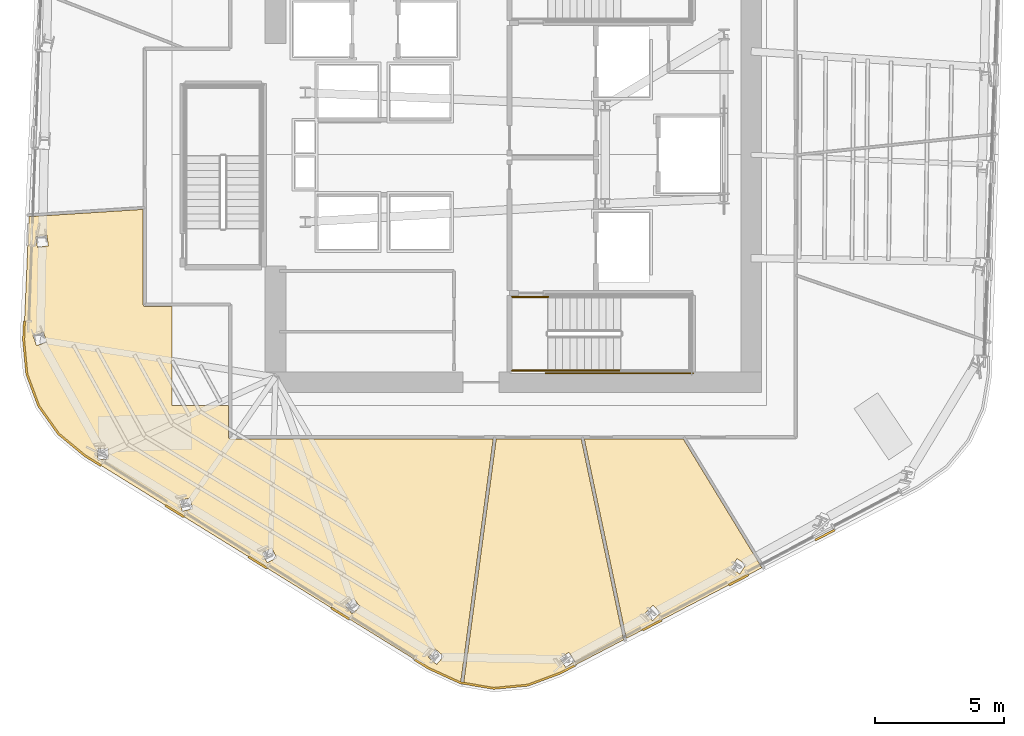
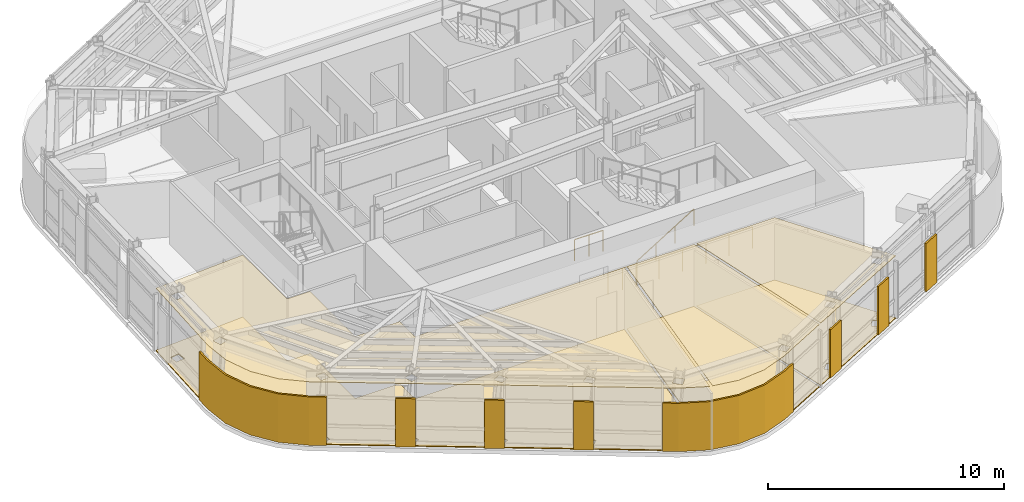
# One storey, part 9 of 14: 14 coverings, 4 railings.
"""IFC4 building model written with IfcOpenShell, lengths in metres."""

from ifc_helpers import new_model, si_unit, direction, frame, origin, origin_2d, place, context, subcontext, project, spatial, polyline, circle, outline, extrude, material, layer, layer_set, type_object, element, save


model = new_model("IFC4")

# Units and contexts
model_context = context("Model", 3, precision=1e-05, world=origin(), true_north=direction((0.0, 1.0)))
body_context = subcontext(model_context, "Body", "Model", "MODEL_VIEW")
ifc_project = project(units=[si_unit("LENGTHUNIT", "METRE"), si_unit("AREAUNIT", "SQUARE_METRE"), si_unit("VOLUMEUNIT", "CUBIC_METRE"), si_unit("PLANEANGLEUNIT", "RADIAN"), si_unit("MASSUNIT", "GRAM", prefix="KILO")], contexts=[model_context])

# Site, building, storey
site_placement = place(None, origin())
site = spatial("IfcSite", under=ifc_project, at=site_placement, CompositionType="ELEMENT")
building_placement = place(site_placement, origin())
building = spatial("IfcBuilding", under=site, at=building_placement, Name="Valkerne Bourse Tower", CompositionType="ELEMENT")
storey_placement = place(building_placement, frame((0.0, 0.0, 143.800048828125)))
storey = spatial("IfcBuildingStorey", under=building, at=storey_placement, Name="L36", CompositionType="ELEMENT", Elevation=143.800048828125)

# Coverings
ifc_material_1 = material(Name="Mineral Fiber Acoustic Ceiling Tile", Category="acoustic")
ifc_layer_1 = layer(ifc_material_1, 0.02490234375)
ifc_layer_set_1 = layer_set([ifc_layer_1], Name="Mineral Fiber Acoustic Ceiling Tile")
covering_type_1 = type_object("IfcCoveringType", Name="COV-CEIL-ACT", PredefinedType="CEILING", material=ifc_layer_set_1)
covering_1_placement = place(storey_placement, frame((0.0, 0.0, 3.22998046875)))
element("IfcCovering", 1, at=covering_1_placement, inside=storey, type_object=covering_type_1, Name="L36 Suspended Ceiling 04", PredefinedType="CEILING", context=body_context, shape_type="SweptSolid", body=[
    extrude(outline(polyline([(53.3671875, 16.010986328125), (56.41259765625, 11.021728515625), (51.17138671875, 8.289794921875), (49.544189453125, 16.010986328125), (53.3671875, 16.010986328125)]), holes=[polyline([(52.49267578125, 9.2734375), (52.20263671875, 9.569091796875), (52.2001953125, 9.568359375), (51.8984375, 9.27099609375), (52.1884765625, 8.975341796875), (52.19091796875, 8.97607421875), (52.49267578125, 9.2734375)]), polyline([(55.56005859375, 10.79052734375), (55.794921875, 11.14306640625), (55.45068359375, 11.37353515625), (55.448486328125, 11.372314453125), (55.213623046875, 11.01953125), (55.5576171875, 10.789306640625), (55.56005859375, 10.79052734375)])]), origin(), (0.0, 0.0, 1.0), 0.02490234375),
])
covering_2_placement = place(storey_placement, frame((0.0, 0.0, 3.22998046875)))
element("IfcCovering", 2, at=covering_2_placement, inside=storey, type_object=covering_type_1, Name="L36 Suspended Ceiling 06", PredefinedType="CEILING", context=body_context, shape_type="SweptSolid", body=[
    extrude(outline(polyline([(46.043212890625, 6.363525390625), (44.879150390625, 6.560546875), (46.139892578125, 16.010986328125), (49.423583984375, 16.010986328125), (51.062744140625, 8.233154296875), (48.603271484375, 6.951171875), (47.35693359375, 6.48779296875), (46.043212890625, 6.363525390625)]), holes=[polyline([(48.826904296875, 7.173095703125), (49.178955078125, 7.408447265625), (48.94970703125, 7.75341796875), (48.947021484375, 7.753173828125), (48.594970703125, 7.517578125), (48.82421875, 7.1728515625), (48.826904296875, 7.173095703125)])]), origin(), (0.0, 0.0, 1.0), 0.02490234375),
])
covering_3_placement = place(storey_placement, frame((0.0, 0.0, 3.22998046875)))
element("IfcCovering", 3, at=covering_3_placement, inside=storey, type_object=covering_type_1, Name="L36 Suspended Ceiling 10", PredefinedType="CEILING", context=body_context, shape_type="SweptSolid", body=[
    extrude(outline(polyline([(30.235107421875, 15.360107421875), (29.211181640625, 16.206787109375), (28.447021484375, 17.282470703125), (27.98681640625, 18.519287109375), (27.86181640625, 19.842041015625), (28.067138671875, 24.602783203125), (32.48095703125, 24.885498046875), (32.48095703125, 21.19921875), (32.498291015625, 21.154296875), (32.52099609375, 21.13720703125), (32.549560546875, 21.131103515625), (33.60009765625, 21.131103515625), (33.60009765625, 17.300048828125), (35.781005859375, 17.300048828125), (35.781005859375, 16.079345703125), (35.791015625, 16.0439453125), (35.81982421875, 16.017822265625), (35.849609375, 16.010986328125), (46.02099609375, 16.010986328125), (44.7626953125, 6.580078125), (44.7421875, 6.58349609375), (43.533203125, 7.13720703125), (30.235107421875, 15.360107421875)]), holes=[polyline([(37.45947265625, 11.78369140625), (37.45703125, 11.78515625), (37.0859375, 11.601806640625), (37.272705078125, 11.221435546875), (37.275146484375, 11.219970703125), (37.646240234375, 11.403564453125), (37.45947265625, 11.78369140625)]), polyline([(34.293701171875, 13.7197265625), (34.29150390625, 13.7216796875), (33.890869140625, 13.617431640625), (33.996337890625, 13.20703125), (33.998291015625, 13.205078125), (34.399169921875, 13.309326171875), (34.293701171875, 13.7197265625)]), polyline([(31.144775390625, 15.225341796875), (31.1181640625, 15.648193359375), (31.116455078125, 15.650390625), (30.703369140625, 15.623046875), (30.72998046875, 15.200439453125), (30.731689453125, 15.197998046875), (31.144775390625, 15.225341796875)]), polyline([(28.7548828125, 19.753173828125), (28.62158203125, 20.14404296875), (28.62060546875, 20.146728515625), (28.21875, 20.009765625), (28.35205078125, 19.618896484375), (28.35302734375, 19.6162109375), (28.7548828125, 19.753173828125)]), polyline([(28.756103515625, 23.88427734375), (28.755615234375, 23.88671875), (28.335205078125, 23.827880859375), (28.392578125, 23.418701171875), (28.39306640625, 23.416015625), (28.813720703125, 23.47509765625), (28.756103515625, 23.88427734375)]), polyline([(43.78662109375, 7.87646484375), (43.78369140625, 7.876953125), (43.51171875, 7.56494140625), (43.830078125, 7.28564453125), (43.832763671875, 7.28515625), (44.10498046875, 7.59716796875), (43.78662109375, 7.87646484375)]), polyline([(40.621337890625, 9.836181640625), (40.618896484375, 9.8369140625), (40.292724609375, 9.581787109375), (40.552978515625, 9.24755859375), (40.5556640625, 9.24658203125), (40.881591796875, 9.501708984375), (40.621337890625, 9.836181640625)])]), origin(), (0.0, 0.0, 1.0), 0.02490234375),
])
ifc_material_2 = material(Name="Bronze Anodised Aluminium AA 6063-T6", Category="aluminium")
ifc_layer_2 = layer(ifc_material_2, 0.06005859375)
ifc_layer_set_2 = layer_set([ifc_layer_2], Name="Bronze Anodised Aluminium AA 6063-T6")
covering_type_2 = type_object("IfcCoveringType", Name="COV-CRN-ALUM", PredefinedType="CLADDING", material=ifc_layer_set_2)
covering_4_placement = place(storey_placement, origin())
element("IfcCovering", 4, at=covering_4_placement, inside=storey, type_object=covering_type_2, Name="L36 Wind-Shaped Corner Aluminium Cladding 02", PredefinedType="CLADDING", context=body_context, shape_type="SweptSolid", body=[
    extrude(outline(polyline([(58.50146484375, 12.060791015625), (58.464111328125, 12.131591796875), (59.208984375, 12.52001953125), (59.24658203125, 12.44921875), (58.50146484375, 12.060791015625)])), origin(), (0.0, 0.0, 1.0), 2.5),
])
covering_5_placement = place(storey_placement, origin())
element("IfcCovering", 5, at=covering_5_placement, inside=storey, type_object=covering_type_2, Name="L36 Wind-Shaped Corner Aluminium Cladding 03", PredefinedType="CLADDING", context=body_context, shape_type="SweptSolid", body=[
    extrude(outline(polyline([(55.157470703125, 10.31787109375), (55.1201171875, 10.388671875), (55.864990234375, 10.77685546875), (55.902587890625, 10.706298828125), (55.157470703125, 10.31787109375)])), origin(), (0.0, 0.0, 1.0), 2.5),
])
covering_6_placement = place(storey_placement, origin())
element("IfcCovering", 6, at=covering_6_placement, inside=storey, type_object=covering_type_2, Name="L36 Wind-Shaped Corner Aluminium Cladding 04", PredefinedType="CLADDING", context=body_context, shape_type="SweptSolid", body=[
    extrude(outline(polyline([(51.8134765625, 8.57470703125), (51.77587890625, 8.6455078125), (52.52099609375, 9.03369140625), (52.558349609375, 8.963134765625), (51.8134765625, 8.57470703125)])), origin(), (0.0, 0.0, 1.0), 2.5),
])
covering_7_placement = place(storey_placement, origin())
element("IfcCovering", 7, at=covering_7_placement, inside=storey, type_object=covering_type_2, Name="L36 Wind-Shaped Corner Aluminium Cladding 05", PredefinedType="CLADDING", context=body_context, shape_type="SweptSolid", body=[
    extrude(outline(polyline([(48.62109375, 6.910888671875), (47.366943359375, 6.444580078125), (46.041748046875, 6.319091796875), (44.729248046875, 6.541259765625), (43.512451171875, 7.09814453125), (42.943603515625, 7.449951171875), (42.986083984375, 7.517822265625), (43.55029296875, 7.1689453125), (44.7529296875, 6.618408203125), (46.044677734375, 6.39990234375), (47.348876953125, 6.523193359375), (48.588623046875, 6.984130859375), (49.177001953125, 7.290771484375), (49.21435546875, 7.219970703125), (48.62109375, 6.910888671875)])), origin(), (0.0, 0.0, 1.0), 2.5),
])
covering_8_placement = place(storey_placement, origin())
element("IfcCovering", 8, at=covering_8_placement, inside=storey, type_object=covering_type_2, Name="L36 Wind-Shaped Corner Aluminium Cladding 06", PredefinedType="CLADDING", context=body_context, shape_type="SweptSolid", body=[
    extrude(outline(polyline([(39.736083984375, 9.433349609375), (39.778564453125, 9.501220703125), (40.4931640625, 9.059326171875), (40.45068359375, 8.991455078125), (39.736083984375, 9.433349609375)])), origin(), (0.0, 0.0, 1.0), 2.5),
])
covering_9_placement = place(storey_placement, origin())
element("IfcCovering", 9, at=covering_9_placement, inside=storey, type_object=covering_type_2, Name="L36 Wind-Shaped Corner Aluminium Cladding 07", PredefinedType="CLADDING", context=body_context, shape_type="SweptSolid", body=[
    extrude(outline(polyline([(36.52880859375, 11.41650390625), (36.5712890625, 11.484375), (37.28564453125, 11.04248046875), (37.2431640625, 10.974853515625), (36.52880859375, 11.41650390625)])), origin(), (0.0, 0.0, 1.0), 2.5),
])
covering_10_placement = place(storey_placement, origin())
element("IfcCovering", 10, at=covering_10_placement, inside=storey, type_object=covering_type_2, Name="L36 Wind-Shaped Corner Aluminium Cladding 08", PredefinedType="CLADDING", context=body_context, shape_type="SweptSolid", body=[
    extrude(outline(polyline([(33.3212890625, 13.39990234375), (33.36376953125, 13.467529296875), (34.078125, 13.02587890625), (34.03564453125, 12.9580078125), (33.3212890625, 13.39990234375)])), origin(), (0.0, 0.0, 1.0), 2.5),
])
covering_11_placement = place(storey_placement, origin())
element("IfcCovering", 11, at=covering_11_placement, inside=storey, type_object=covering_type_2, Name="L36 Wind-Shaped Corner Aluminium Cladding 09", PredefinedType="CLADDING", context=body_context, shape_type="SweptSolid", body=[
    extrude(outline(polyline([(30.209228515625, 15.32421875), (29.1787109375, 16.1767578125), (28.40771484375, 17.26171875), (27.943603515625, 18.509521484375), (27.817626953125, 19.8408203125), (27.84912109375, 20.568115234375), (27.928955078125, 20.565185546875), (27.89794921875, 19.843017578125), (28.022216796875, 18.52734375), (28.47900390625, 17.299560546875), (29.23779296875, 16.231689453125), (30.256103515625, 15.389404296875), (30.870849609375, 15.009033203125), (30.828369140625, 14.94140625), (30.209228515625, 15.32421875)])), origin(), (0.0, 0.0, 1.0), 2.5),
])
ifc_material_3 = material(Name="Galvanised Painted Steel", Category="steel")
ifc_layer_3 = layer(ifc_material_3, 0.044921875)
ifc_layer_set_3 = layer_set([ifc_layer_3], Name="Galvanised Painted Steel")
covering_type_3 = type_object("IfcCoveringType", Name="COV-FLR-RAF", PredefinedType="FLOORING", material=ifc_layer_set_3)
covering_12_placement = place(storey_placement, origin())
element("IfcCovering", 12, at=covering_12_placement, inside=storey, type_object=covering_type_3, Name="L36 Floor Finish 06", PredefinedType="FLOORING", context=body_context, shape_type="SweptSolid", body=[
    extrude(outline(polyline([(46.043212890625, 6.363525390625), (44.879150390625, 6.560546875), (46.139892578125, 16.010986328125), (49.423583984375, 16.010986328125), (51.062744140625, 8.233154296875), (48.603271484375, 6.951171875), (47.35693359375, 6.48779296875), (46.043212890625, 6.363525390625)]), holes=[polyline([(48.826904296875, 7.173095703125), (49.178955078125, 7.408447265625), (48.94970703125, 7.75341796875), (48.947021484375, 7.753173828125), (48.594970703125, 7.517578125), (48.82421875, 7.1728515625), (48.826904296875, 7.173095703125)])]), origin(), (0.0, 0.0, 1.0), 0.044921875),
])
covering_13_placement = place(storey_placement, origin())
element("IfcCovering", 13, at=covering_13_placement, inside=storey, type_object=covering_type_3, Name="L36 Floor Finish 10", PredefinedType="FLOORING", context=body_context, shape_type="SweptSolid", body=[
    extrude(outline(polyline([(30.235107421875, 15.360107421875), (29.211181640625, 16.206787109375), (28.447021484375, 17.282470703125), (27.98681640625, 18.519287109375), (27.86181640625, 19.842041015625), (28.067138671875, 24.602783203125), (32.48095703125, 24.885498046875), (32.48095703125, 21.19921875), (32.498291015625, 21.154296875), (32.52099609375, 21.13720703125), (32.549560546875, 21.131103515625), (33.60009765625, 21.131103515625), (33.60009765625, 17.300048828125), (35.781005859375, 17.300048828125), (35.781005859375, 16.079345703125), (35.791015625, 16.0439453125), (35.81982421875, 16.017822265625), (35.849609375, 16.010986328125), (46.02099609375, 16.010986328125), (44.7626953125, 6.580078125), (44.7421875, 6.58349609375), (43.533203125, 7.13720703125), (30.235107421875, 15.360107421875)]), holes=[polyline([(37.45947265625, 11.78369140625), (37.45703125, 11.78515625), (37.0859375, 11.601806640625), (37.272705078125, 11.221435546875), (37.275146484375, 11.219970703125), (37.646240234375, 11.403564453125), (37.45947265625, 11.78369140625)]), polyline([(34.293701171875, 13.7197265625), (34.29150390625, 13.7216796875), (33.890869140625, 13.617431640625), (33.996337890625, 13.20703125), (33.998291015625, 13.205078125), (34.399169921875, 13.309326171875), (34.293701171875, 13.7197265625)]), polyline([(31.144775390625, 15.225341796875), (31.1181640625, 15.648193359375), (31.116455078125, 15.650390625), (30.703369140625, 15.623046875), (30.72998046875, 15.200439453125), (30.731689453125, 15.197998046875), (31.144775390625, 15.225341796875)]), polyline([(28.7548828125, 19.753173828125), (28.62158203125, 20.14404296875), (28.62060546875, 20.146728515625), (28.21875, 20.009765625), (28.35205078125, 19.618896484375), (28.35302734375, 19.6162109375), (28.7548828125, 19.753173828125)]), polyline([(28.756103515625, 23.88427734375), (28.755615234375, 23.88671875), (28.335205078125, 23.827880859375), (28.392578125, 23.418701171875), (28.39306640625, 23.416015625), (28.813720703125, 23.47509765625), (28.756103515625, 23.88427734375)]), polyline([(43.78662109375, 7.87646484375), (43.78369140625, 7.876953125), (43.51171875, 7.56494140625), (43.830078125, 7.28564453125), (43.832763671875, 7.28515625), (44.10498046875, 7.59716796875), (43.78662109375, 7.87646484375)]), polyline([(40.621337890625, 9.836181640625), (40.618896484375, 9.8369140625), (40.292724609375, 9.581787109375), (40.552978515625, 9.24755859375), (40.5556640625, 9.24658203125), (40.881591796875, 9.501708984375), (40.621337890625, 9.836181640625)])]), origin(), (0.0, 0.0, 1.0), 0.044921875),
])
ifc_material_4 = material(Name="Polished Granite Stone", Category="masonry")
ifc_layer_4 = layer(ifc_material_4, 0.030029296875)
ifc_layer_set_4 = layer_set([ifc_layer_4], Name="Polished Granite Stone")
covering_type_4 = type_object("IfcCoveringType", Name="COV-FLR-TERRAZZO", PredefinedType="FLOORING", material=ifc_layer_set_4)
covering_14_placement = place(storey_placement, origin())
element("IfcCovering", 14, at=covering_14_placement, inside=storey, type_object=covering_type_4, Name="L36 Floor Finish 04", PredefinedType="FLOORING", context=body_context, shape_type="SweptSolid", body=[
    extrude(outline(polyline([(53.3671875, 16.010986328125), (56.41259765625, 11.021728515625), (51.17138671875, 8.289794921875), (49.544189453125, 16.010986328125), (53.3671875, 16.010986328125)]), holes=[polyline([(52.49267578125, 9.2734375), (52.20263671875, 9.569091796875), (52.2001953125, 9.568359375), (51.8984375, 9.27099609375), (52.1884765625, 8.975341796875), (52.19091796875, 8.97607421875), (52.49267578125, 9.2734375)]), polyline([(55.56005859375, 10.79052734375), (55.794921875, 11.14306640625), (55.45068359375, 11.37353515625), (55.448486328125, 11.372314453125), (55.213623046875, 11.01953125), (55.5576171875, 10.789306640625), (55.56005859375, 10.79052734375)])]), origin(), (0.0, 0.0, 1.0), 0.030029296875),
])

# Railings
railing_type_1 = type_object("IfcRailingType", Name="RLG-ST-GUARD-1120", PredefinedType="GUARDRAIL", material=ifc_material_3)
for number, where, name in (
    (15, (46.75, 18.64990234375, 0.0), "L36 ST-1 stair guard 8"),
    (16, (46.75, 21.5, 0.0), "L36 ST-1 stair guard 9"),
):
    element("IfcRailing", number, at=place(storey_placement, frame(where)), inside=storey, type_object=railing_type_1, Name=name, PredefinedType="GUARDRAIL", context=body_context, shape_type="SweptSolid", body=[
        extrude(circle(Radius=0.02392578125, at=origin_2d()), frame((0.0, 0.0, 1.09619140625), z_axis=(1.0, 0.0, 0.0), x_axis=(0.0, 1.0, 0.0)), (0.0, 0.0, 1.0), 1.39990234375),
        extrude(circle(Radius=0.02099609375, at=origin_2d()), origin(), (0.0, 0.0, 1.0), 1.072021484375),
        extrude(circle(Radius=0.02099609375, at=origin_2d()), frame((0.699951171875, 0.0, 0.0)), (0.0, 0.0, 1.0), 1.072021484375),
        extrude(circle(Radius=0.02099609375, at=origin_2d()), frame((1.39990234375, 0.0, 0.0)), (0.0, 0.0, 1.0), 1.072021484375),
    ])
railing_1_placement = place(storey_placement, frame((48.050048828125, 18.550048828125, 0.0)))
element("IfcRailing", 17, at=railing_1_placement, inside=storey, type_object=railing_type_1, Name="L36 ST-1 stair guard 10", PredefinedType="GUARDRAIL", context=body_context, shape_type="SweptSolid", body=[
    extrude(circle(Radius=0.02392578125, at=origin_2d()), frame((0.0, 0.0, 1.09619140625), z_axis=(1.0, 0.0, 0.0), x_axis=(0.0, 1.0, 0.0)), (0.0, 0.0, 1.0), 5.699951171875),
    extrude(circle(Radius=0.02099609375, at=origin_2d()), origin(), (0.0, 0.0, 1.0), 1.072021484375),
    extrude(circle(Radius=0.02099609375, at=origin_2d()), frame((1.139892578125, 0.0, 0.0)), (0.0, 0.0, 1.0), 1.072021484375),
    extrude(circle(Radius=0.02099609375, at=origin_2d()), frame((2.280029296875, 0.0, 0.0)), (0.0, 0.0, 1.0), 1.072021484375),
    extrude(circle(Radius=0.02099609375, at=origin_2d()), frame((3.419921875, 0.0, 0.0)), (0.0, 0.0, 1.0), 1.072021484375),
    extrude(circle(Radius=0.02099609375, at=origin_2d()), frame((4.56005859375, 0.0, 0.0)), (0.0, 0.0, 1.0), 1.072021484375),
    extrude(circle(Radius=0.02099609375, at=origin_2d()), frame((5.699951171875, 0.0, 0.0)), (0.0, 0.0, 1.0), 1.072021484375),
])
ifc_material_5 = material(Name="Stainless Steel AISI 316", Category="steel")
railing_type_2 = type_object("IfcRailingType", Name="RLG-ST-HANDRAIL-900", PredefinedType="HANDRAIL", material=ifc_material_5)
railing_2_placement = place(storey_placement, frame((48.14990234375, 18.64990234375, 0.345458984375)))
element("IfcRailing", 18, at=railing_2_placement, inside=storey, type_object=railing_type_2, Name="L36 ST-1 stair handrail 1", PredefinedType="HANDRAIL", context=body_context, shape_type="SweptSolid", body=[
    extrude(circle(Radius=0.02392578125, at=origin_2d()), frame((0.0, 0.0, 0.8759765625), z_axis=(0.851089632645, 0.0, 0.525020415988), x_axis=(0.0, 1.0, 0.0)), (0.0, 0.0, 1.0), 3.2900390625),
    extrude(circle(Radius=0.02099609375, at=origin_2d()), origin(), (0.0, 0.0, 1.0), 0.851806640625),
    extrude(circle(Radius=0.02099609375, at=origin_2d()), frame((0.933349609375, 0.0, 0.57568359375)), (0.0, 0.0, 1.0), 0.851806640625),
    extrude(circle(Radius=0.02099609375, at=origin_2d()), frame((1.86669921875, 0.0, 1.151611328125)), (0.0, 0.0, 1.0), 0.851806640625),
    extrude(circle(Radius=0.02099609375, at=origin_2d()), frame((2.800048828125, 0.0, 1.727294921875)), (0.0, 0.0, 1.0), 0.851806640625),
])

save(model, "model.ifc")
